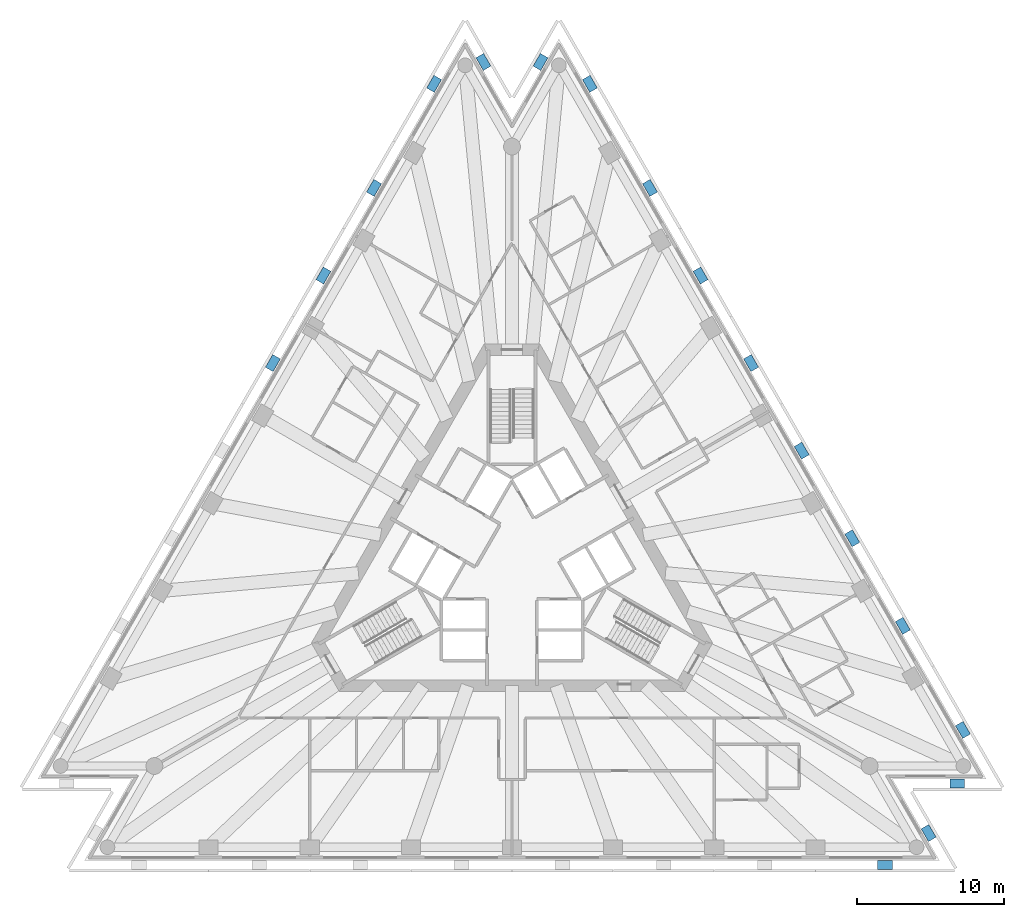
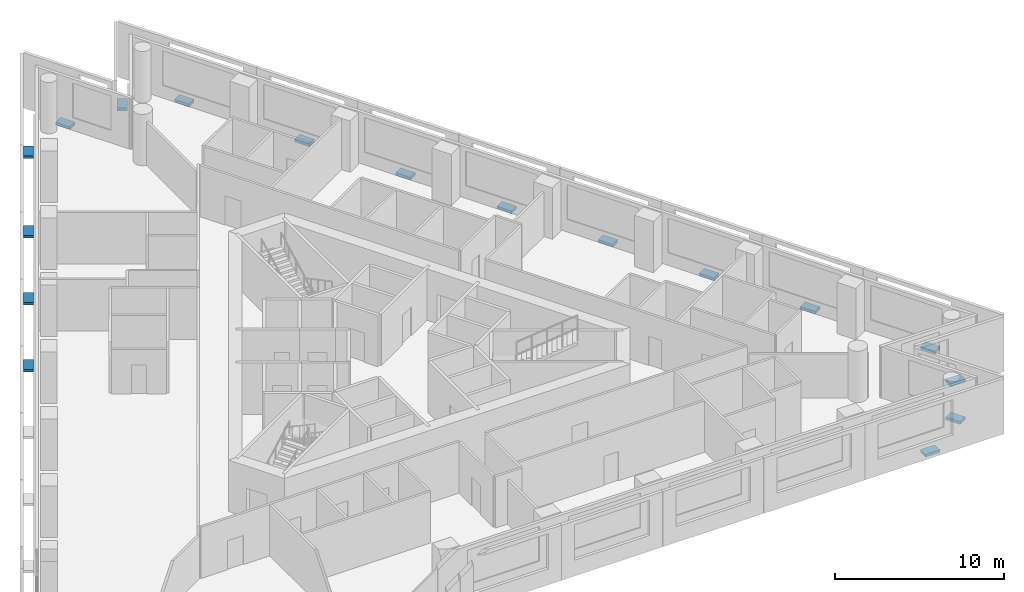
# One storey, part 8 of 10: 17 discrete accessories.
"""IFC4 building model written with IfcOpenShell, lengths in metres."""

from ifc_helpers import new_model, si_unit, direction, frame, origin, origin_2d, place, context, subcontext, project, spatial, rectangle, extrude, material, type_object, element, save


model = new_model("IFC4")

# Units and contexts
model_context = context("Model", 3, precision=1e-05, world=origin(), true_north=direction((0.0, 1.0)))
body_context = subcontext(model_context, "Body", "Model", "MODEL_VIEW")
ifc_project = project(units=[si_unit("LENGTHUNIT", "METRE"), si_unit("AREAUNIT", "SQUARE_METRE"), si_unit("VOLUMEUNIT", "CUBIC_METRE"), si_unit("PLANEANGLEUNIT", "RADIAN"), si_unit("MASSUNIT", "GRAM", prefix="KILO")], contexts=[model_context])

# Site, building, storey
site_placement = place(None, origin())
site = spatial("IfcSite", under=ifc_project, at=site_placement, CompositionType="ELEMENT")
building_placement = place(site_placement, origin())
building = spatial("IfcBuilding", under=site, at=building_placement, Name="Triada Interchange Tower", CompositionType="ELEMENT")
storey_placement = place(building_placement, frame((0.0, 0.0, 116.300048828125)))
storey = spatial("IfcBuildingStorey", under=building, at=storey_placement, Name="L26", CompositionType="ELEMENT", Elevation=116.300048828125)

# Discrete accessories
ifc_material = material(Name="Steel S355", Category="steel")
discrete_accessory_type = type_object("IfcDiscreteAccessoryType", Name="Steel bracket outer skin", PredefinedType="BRACKET", material=ifc_material)
for number, where, z_axis, x_axis, name in (
    (1, (-5.31298828125, 32.445068359375, -0.27001953125), (0.0, 0.0, 1.0), (-0.866028484274, 0.499994664397, 0.0), "Bracket L26 01"),
    (2, (-9.412109375, 25.345947265625, -0.27001953125), (0.0, 0.0, 1.0), (-0.866028484274, 0.499994664397, 0.0), "Bracket L26 02"),
    (3, (-12.860107421875, 19.373046875, -0.27001953125), (0.0, 0.0, 1.0), (-0.866028484274, 0.499994664397, 0.0), "Bracket L26 03"),
    (4, (-16.30908203125, 13.39892578125, -0.27001953125), (0.0, 0.0, 1.0), (-0.866028484274, 0.499994664397, 0.0), "Bracket L26 04"),
    (5, (25.44091796875, -20.823974609375, -0.27001953125), (0.0, 0.0, 1.0), (0.0, -1.0, 0.0), "Bracket L26 18"),
    (6, (28.416015625, -18.653076171875, -0.27001953125), (0.0, 0.0, 1.0), (0.865964345711, 0.500105740775, 0.0), "Bracket L26 19"),
    (7, (30.362060546875, -15.282958984375, -0.27001953125), (0.0, 0.0, 1.0), (0.0, -1.0, 0.0), "Bracket L26 20"),
    (8, (30.75390625, -11.62109375, -0.27001953125), (0.0, 0.0, 1.0), (0.866028484274, 0.499994664397, 0.0), "Bracket L26 21"),
    (9, (26.656005859375, -4.52197265625, -0.27001953125), (0.0, 0.0, 1.0), (0.866028484274, 0.499994664397, 0.0), "Bracket L26 22"),
    (10, (23.20703125, 1.450927734375, -0.27001953125), (0.0, 0.0, 1.0), (0.866028484274, 0.499994664397, 0.0), "Bracket L26 23"),
    (11, (19.758056640625, 7.425048828125, -0.27001953125), (0.0, 0.0, 1.0), (0.866028484274, 0.499994664397, 0.0), "Bracket L26 24"),
    (12, (16.30908203125, 13.39892578125, -0.27001953125), (0.0, 0.0, 1.0), (0.866028484274, 0.499994664397, 0.0), "Bracket L26 25"),
    (13, (12.860107421875, 19.373046875, -0.27001953125), (0.0, 0.0, 1.0), (0.866028484274, 0.499994664397, 0.0), "Bracket L26 26"),
    (14, (9.412109375, 25.345947265625, -0.27001953125), (0.0, 0.0, 1.0), (0.866028484274, 0.499994664397, 0.0), "Bracket L26 27"),
    (15, (5.31298828125, 32.445068359375, -0.27001953125), (0.0, 0.0, 1.0), (0.866028484274, 0.499994664397, 0.0), "Bracket L26 28"),
    (16, (1.946044921875, 33.93603515625, -0.27001953125), (0.0, 0.0, 1.0), (-0.866071092888, 0.4999208558, 0.0), "Bracket L26 29"),
    (17, (-1.946044921875, 33.93603515625, -0.27001953125), (0.0, 0.0, 1.0), (0.866071092888, 0.4999208558, 0.0), "Bracket L26 30"),
):
    element("IfcDiscreteAccessory", number, at=place(storey_placement, frame(where, z_axis=z_axis, x_axis=x_axis)), inside=storey, type_object=discrete_accessory_type, Name=name, PredefinedType="BRACKET", context=body_context, shape_type="SweptSolid", body=[
        extrude(rectangle(XDim=0.60009765625, YDim=1.0, at=origin_2d()), origin(), (0.0, 0.0, 1.0), 0.199951171875),
    ])

save(model, "model.ifc")
